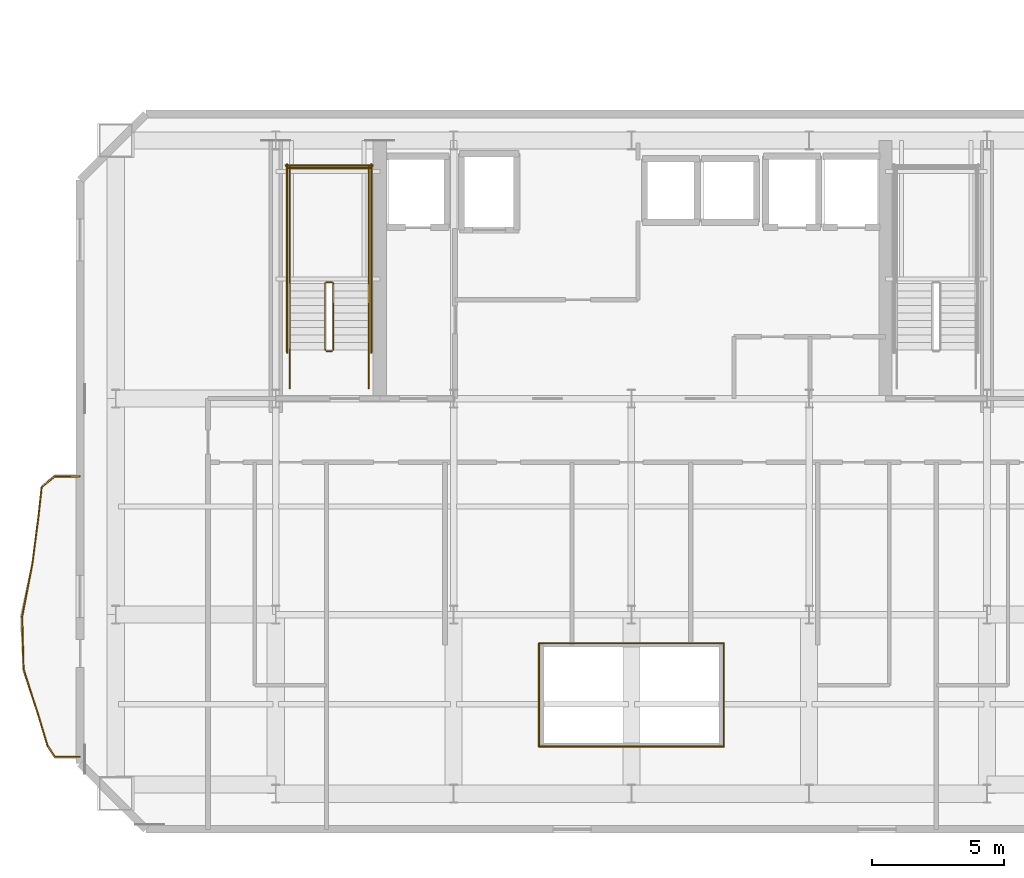
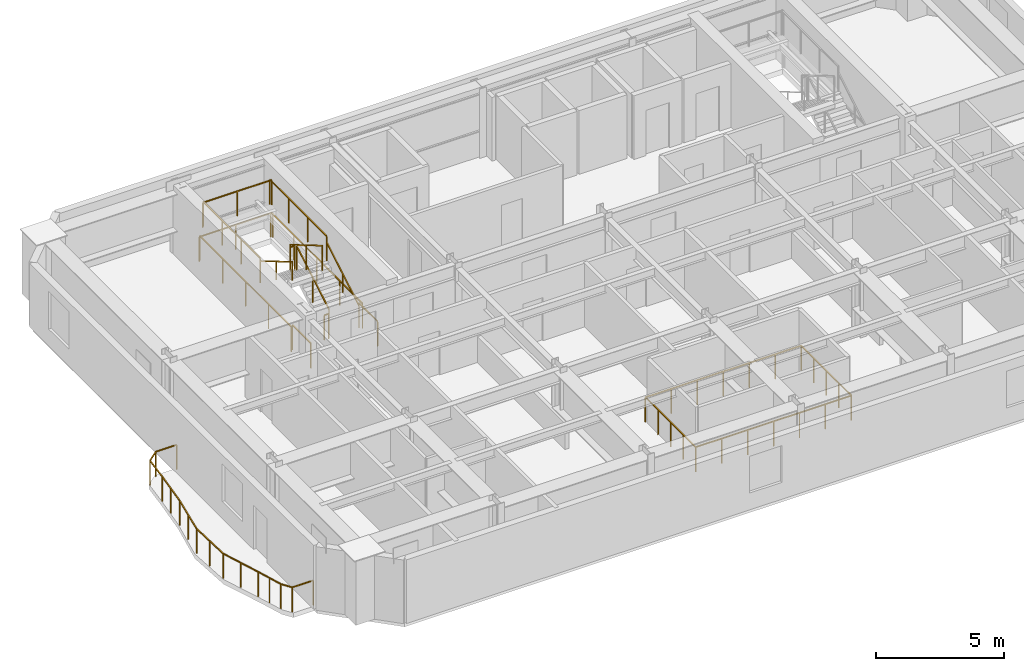
# One storey, part 13 of 16: 28 railings.
"""IFC4 building model written with IfcOpenShell, lengths in metres."""

from ifc_helpers import new_model, si_unit, direction, frame, origin, origin_2d, place, context, subcontext, project, spatial, rectangle, extrude, material, type_object, element, save


model = new_model("IFC4")

# Units and contexts
model_context = context("Model", 3, precision=1e-05, world=origin(), true_north=direction((0.0, 1.0)))
body_context = subcontext(model_context, "Body", "Model", "MODEL_VIEW")
ifc_project = project(units=[si_unit("LENGTHUNIT", "METRE"), si_unit("AREAUNIT", "SQUARE_METRE"), si_unit("VOLUMEUNIT", "CUBIC_METRE"), si_unit("PLANEANGLEUNIT", "RADIAN"), si_unit("MASSUNIT", "GRAM", prefix="KILO")], contexts=[model_context])

# Site, building, storey
site_placement = place(None, origin())
site = spatial("IfcSite", under=ifc_project, at=site_placement, CompositionType="ELEMENT")
building_placement = place(site_placement, origin())
building = spatial("IfcBuilding", under=site, at=building_placement, Name="Haevon Station Towers", CompositionType="ELEMENT")
storey_placement = place(building_placement, frame((0.0, 0.0, 172.5)))
storey = spatial("IfcBuildingStorey", under=building, at=storey_placement, Name="L47", CompositionType="ELEMENT", Elevation=172.5)

# Railings
ifc_material = material(Name="Steel S355", Category="steel")
railing_type_1 = type_object("IfcRailingType", Name="BAL-ATR1200", PredefinedType="BALUSTRADE", material=ifc_material)
railing_1_placement = place(storey_placement, frame((33.995361328125, 24.991455078125, 0.0)))
element("IfcRailing", 1, at=railing_1_placement, inside=storey, type_object=railing_type_1, Name="L47 Atrium Void Balustrade 1", PredefinedType="BALUSTRADE", context=body_context, shape_type="SweptSolid", body=[
    extrude(rectangle(XDim=0.048095703125, YDim=0.048095703125, at=origin_2d()), frame((0.0, 0.0, 1.17578125), z_axis=(1.0, 0.0, 0.0), x_axis=(0.0, 1.0, 0.0)), (0.0, 0.0, 1.0), 7.00927734375),
    extrude(rectangle(XDim=0.0419921875, YDim=0.0419921875, at=origin_2d()), origin(), (0.0, 0.0, 1.0), 1.15185546875),
    extrude(rectangle(XDim=0.0419921875, YDim=0.0419921875, at=origin_2d()), frame((1.168212890625, 0.0, 0.0)), (0.0, 0.0, 1.0), 1.15185546875),
    extrude(rectangle(XDim=0.0419921875, YDim=0.0419921875, at=origin_2d()), frame((2.33642578125, 0.0, 0.0)), (0.0, 0.0, 1.0), 1.15185546875),
    extrude(rectangle(XDim=0.0419921875, YDim=0.0419921875, at=origin_2d()), frame((3.504638671875, 0.0, 0.0)), (0.0, 0.0, 1.0), 1.15185546875),
    extrude(rectangle(XDim=0.0419921875, YDim=0.0419921875, at=origin_2d()), frame((4.6728515625, 0.0, 0.0)), (0.0, 0.0, 1.0), 1.15185546875),
    extrude(rectangle(XDim=0.0419921875, YDim=0.0419921875, at=origin_2d()), frame((5.841064453125, 0.0, 0.0)), (0.0, 0.0, 1.0), 1.15185546875),
    extrude(rectangle(XDim=0.0419921875, YDim=0.0419921875, at=origin_2d()), frame((7.00927734375, 0.0, 0.0)), (0.0, 0.0, 1.0), 1.15185546875),
])
railing_2_placement = place(storey_placement, frame((41.004638671875, 24.991455078125, 0.0)))
element("IfcRailing", 2, at=railing_2_placement, inside=storey, type_object=railing_type_1, Name="L47 Atrium Void Balustrade 2", PredefinedType="BALUSTRADE", context=body_context, shape_type="SweptSolid", body=[
    extrude(rectangle(XDim=0.048095703125, YDim=0.048095703125, at=origin_2d()), frame((0.0, 0.0, 1.17578125), z_axis=(0.0, 1.0, 0.0), x_axis=(-1.0, 0.0, 0.0)), (0.0, 0.0, 1.0), 3.9169921875),
    extrude(rectangle(XDim=0.0419921875, YDim=0.0419921875, at=origin_2d()), origin(), (0.0, 0.0, 1.0), 1.15185546875),
    extrude(rectangle(XDim=0.0419921875, YDim=0.0419921875, at=origin_2d()), frame((0.0, 0.979248046875, 0.0)), (0.0, 0.0, 1.0), 1.15185546875),
    extrude(rectangle(XDim=0.0419921875, YDim=0.0419921875, at=origin_2d()), frame((0.0, 1.95849609375, 0.0)), (0.0, 0.0, 1.0), 1.15185546875),
    extrude(rectangle(XDim=0.0419921875, YDim=0.0419921875, at=origin_2d()), frame((0.0, 2.937744140625, 0.0)), (0.0, 0.0, 1.0), 1.15185546875),
    extrude(rectangle(XDim=0.0419921875, YDim=0.0419921875, at=origin_2d()), frame((0.0, 3.9169921875, 0.0)), (0.0, 0.0, 1.0), 1.15185546875),
])
railing_3_placement = place(storey_placement, frame((41.004638671875, 28.908447265625, 0.0)))
element("IfcRailing", 3, at=railing_3_placement, inside=storey, type_object=railing_type_1, Name="L47 Atrium Void Balustrade 3", PredefinedType="BALUSTRADE", context=body_context, shape_type="SweptSolid", body=[
    extrude(rectangle(XDim=0.048095703125, YDim=0.048095703125, at=origin_2d()), frame((0.0, 0.0, 1.17578125), z_axis=(-1.0, 0.0, 0.0), x_axis=(0.0, -1.0, 0.0)), (0.0, 0.0, 1.0), 7.00927734375),
    extrude(rectangle(XDim=0.0419921875, YDim=0.0419921875, at=origin_2d()), origin(), (0.0, 0.0, 1.0), 1.15185546875),
    extrude(rectangle(XDim=0.0419921875, YDim=0.0419921875, at=origin_2d()), frame((-1.168212890625, 0.0, 0.0)), (0.0, 0.0, 1.0), 1.15185546875),
    extrude(rectangle(XDim=0.0419921875, YDim=0.0419921875, at=origin_2d()), frame((-2.33642578125, 0.0, 0.0)), (0.0, 0.0, 1.0), 1.15185546875),
    extrude(rectangle(XDim=0.0419921875, YDim=0.0419921875, at=origin_2d()), frame((-3.504638671875, 0.0, 0.0)), (0.0, 0.0, 1.0), 1.15185546875),
    extrude(rectangle(XDim=0.0419921875, YDim=0.0419921875, at=origin_2d()), frame((-4.6728515625, 0.0, 0.0)), (0.0, 0.0, 1.0), 1.15185546875),
    extrude(rectangle(XDim=0.0419921875, YDim=0.0419921875, at=origin_2d()), frame((-5.841064453125, 0.0, 0.0)), (0.0, 0.0, 1.0), 1.15185546875),
    extrude(rectangle(XDim=0.0419921875, YDim=0.0419921875, at=origin_2d()), frame((-7.00927734375, 0.0, 0.0)), (0.0, 0.0, 1.0), 1.15185546875),
])
railing_4_placement = place(storey_placement, frame((33.995361328125, 28.908447265625, 0.0)))
element("IfcRailing", 4, at=railing_4_placement, inside=storey, type_object=railing_type_1, Name="L47 Atrium Void Balustrade 4", PredefinedType="BALUSTRADE", context=body_context, shape_type="SweptSolid", body=[
    extrude(rectangle(XDim=0.048095703125, YDim=0.048095703125, at=origin_2d()), frame((0.0, 0.0, 1.17578125), z_axis=(0.0, -1.0, 0.0), x_axis=(1.0, 0.0, 0.0)), (0.0, 0.0, 1.0), 3.9169921875),
    extrude(rectangle(XDim=0.0419921875, YDim=0.0419921875, at=origin_2d()), origin(), (0.0, 0.0, 1.0), 1.15185546875),
    extrude(rectangle(XDim=0.0419921875, YDim=0.0419921875, at=origin_2d()), frame((0.0, -0.979248046875, 0.0)), (0.0, 0.0, 1.0), 1.15185546875),
    extrude(rectangle(XDim=0.0419921875, YDim=0.0419921875, at=origin_2d()), frame((0.0, -1.95849609375, 0.0)), (0.0, 0.0, 1.0), 1.15185546875),
    extrude(rectangle(XDim=0.0419921875, YDim=0.0419921875, at=origin_2d()), frame((0.0, -2.937744140625, 0.0)), (0.0, 0.0, 1.0), 1.15185546875),
    extrude(rectangle(XDim=0.0419921875, YDim=0.0419921875, at=origin_2d()), frame((0.0, -3.9169921875, 0.0)), (0.0, 0.0, 1.0), 1.15185546875),
])
railing_type_2 = type_object("IfcRailingType", Name="GRD-EXT1200", PredefinedType="GUARDRAIL", material=ifc_material)
railing_5_placement = place(storey_placement, frame((16.551513671875, 35.2470703125, 0.0)))
element("IfcRailing", 5, at=railing_5_placement, inside=storey, type_object=railing_type_2, Name="L47 Perimeter Guardrail 1", PredefinedType="GUARDRAIL", context=body_context, shape_type="SweptSolid", body=[
    extrude(rectangle(XDim=0.048095703125, YDim=0.048095703125, at=origin_2d()), frame((0.0, 0.0, 1.17578125), z_axis=(-0.999997857851, -0.002069853263, 0.0), x_axis=(0.002069853263, -0.999997857851, 0.0)), (0.0, 0.0, 1.0), 0.943603515625),
    extrude(rectangle(XDim=0.0419921875, YDim=0.0419921875, at=origin_2d()), origin(), (0.0, 0.0, 1.0), 1.15185546875),
    extrude(rectangle(XDim=0.0419921875, YDim=0.0419921875, at=origin_2d()), frame((-0.943603515625, -0.001953125, 0.0)), (0.0, 0.0, 1.0), 1.15185546875),
])
railing_6_placement = place(storey_placement, frame((15.60791015625, 35.2451171875, 0.0)))
element("IfcRailing", 6, at=railing_6_placement, inside=storey, type_object=railing_type_2, Name="L47 Perimeter Guardrail 2", PredefinedType="GUARDRAIL", context=body_context, shape_type="SweptSolid", body=[
    extrude(rectangle(XDim=0.048095703125, YDim=0.048095703125, at=origin_2d()), frame((0.0, 0.0, 1.17578125), z_axis=(-0.771340811858, -0.636422306305, 0.0), x_axis=(0.636422306305, -0.771340811858, 0.0)), (0.0, 0.0, 1.0), 0.64599609375),
    extrude(rectangle(XDim=0.0419921875, YDim=0.0419921875, at=origin_2d()), origin(), (0.0, 0.0, 1.0), 1.15185546875),
    extrude(rectangle(XDim=0.0419921875, YDim=0.0419921875, at=origin_2d()), frame((-0.498291015625, -0.4111328125, 0.0)), (0.0, 0.0, 1.0), 1.15185546875),
])
railing_7_placement = place(storey_placement, frame((15.109619140625, 34.833984375, 0.0)))
element("IfcRailing", 7, at=railing_7_placement, inside=storey, type_object=railing_type_2, Name="L47 Perimeter Guardrail 3", PredefinedType="GUARDRAIL", context=body_context, shape_type="SweptSolid", body=[
    extrude(rectangle(XDim=0.048095703125, YDim=0.048095703125, at=origin_2d()), frame((0.0, 0.0, 1.17578125), z_axis=(-0.108246304378, -0.994124105727, 0.0), x_axis=(0.994124105727, -0.108246304378, 0.0)), (0.0, 0.0, 1.0), 1.17724609375),
    extrude(rectangle(XDim=0.0419921875, YDim=0.0419921875, at=origin_2d()), origin(), (0.0, 0.0, 1.0), 1.15185546875),
    extrude(rectangle(XDim=0.0419921875, YDim=0.0419921875, at=origin_2d()), frame((-0.12744140625, -1.17041015625, 0.0)), (0.0, 0.0, 1.0), 1.15185546875),
])
railing_8_placement = place(storey_placement, frame((14.982177734375, 33.66357421875, 0.0)))
element("IfcRailing", 8, at=railing_8_placement, inside=storey, type_object=railing_type_2, Name="L47 Perimeter Guardrail 4", PredefinedType="GUARDRAIL", context=body_context, shape_type="SweptSolid", body=[
    extrude(rectangle(XDim=0.048095703125, YDim=0.048095703125, at=origin_2d()), frame((0.0, 0.0, 1.17578125), z_axis=(-0.128853983345, -0.991663577518, 0.0), x_axis=(0.991663577518, -0.128853983345, 0.0)), (0.0, 0.0, 1.0), 1.763916015625),
    extrude(rectangle(XDim=0.0419921875, YDim=0.0419921875, at=origin_2d()), origin(), (0.0, 0.0, 1.0), 1.15185546875),
    extrude(rectangle(XDim=0.0419921875, YDim=0.0419921875, at=origin_2d()), frame((-0.11376953125, -0.87451171875, 0.0)), (0.0, 0.0, 1.0), 1.15185546875),
    extrude(rectangle(XDim=0.0419921875, YDim=0.0419921875, at=origin_2d()), frame((-0.227294921875, -1.749267578125, 0.0)), (0.0, 0.0, 1.0), 1.15185546875),
])
railing_9_placement = place(storey_placement, frame((14.7548828125, 31.914306640625, 0.0)))
element("IfcRailing", 9, at=railing_9_placement, inside=storey, type_object=railing_type_2, Name="L47 Perimeter Guardrail 5", PredefinedType="GUARDRAIL", context=body_context, shape_type="SweptSolid", body=[
    extrude(rectangle(XDim=0.048095703125, YDim=0.048095703125, at=origin_2d()), frame((0.0, 0.0, 1.17578125), z_axis=(-0.189669695752, -0.981847954886, 0.0), x_axis=(0.981847954886, -0.189669695752, 0.0)), (0.0, 0.0, 1.0), 2.026123046875),
    extrude(rectangle(XDim=0.0419921875, YDim=0.0419921875, at=origin_2d()), origin(), (0.0, 0.0, 1.0), 1.15185546875),
    extrude(rectangle(XDim=0.0419921875, YDim=0.0419921875, at=origin_2d()), frame((-0.192138671875, -0.99462890625, 0.0)), (0.0, 0.0, 1.0), 1.15185546875),
    extrude(rectangle(XDim=0.0419921875, YDim=0.0419921875, at=origin_2d()), frame((-0.38427734375, -1.9892578125, 0.0)), (0.0, 0.0, 1.0), 1.15185546875),
])
railing_10_placement = place(storey_placement, frame((14.37060546875, 29.925048828125, 0.0)))
element("IfcRailing", 10, at=railing_10_placement, inside=storey, type_object=railing_type_2, Name="L47 Perimeter Guardrail 6", PredefinedType="GUARDRAIL", context=body_context, shape_type="SweptSolid", body=[
    extrude(rectangle(XDim=0.048095703125, YDim=0.048095703125, at=origin_2d()), frame((0.0, 0.0, 1.17578125), z_axis=(0.026326002365, -0.999653410738, 0.0), x_axis=(0.999653410738, 0.026326002365, 0.0)), (0.0, 0.0, 1.0), 1.993896484375),
    extrude(rectangle(XDim=0.0419921875, YDim=0.0419921875, at=origin_2d()), origin(), (0.0, 0.0, 1.0), 1.15185546875),
    extrude(rectangle(XDim=0.0419921875, YDim=0.0419921875, at=origin_2d()), frame((0.0263671875, -0.99658203125, 0.0)), (0.0, 0.0, 1.0), 1.15185546875),
    extrude(rectangle(XDim=0.0419921875, YDim=0.0419921875, at=origin_2d()), frame((0.052490234375, -1.9931640625, 0.0)), (0.0, 0.0, 1.0), 1.15185546875),
])
railing_11_placement = place(storey_placement, frame((14.423095703125, 27.931884765625, 0.0)))
element("IfcRailing", 11, at=railing_11_placement, inside=storey, type_object=railing_type_2, Name="L47 Perimeter Guardrail 7", PredefinedType="GUARDRAIL", context=body_context, shape_type="SweptSolid", body=[
    extrude(rectangle(XDim=0.048095703125, YDim=0.048095703125, at=origin_2d()), frame((0.0, 0.0, 1.17578125), z_axis=(0.305017363439, -0.952346789778, 0.0), x_axis=(0.952346789778, 0.305017363439, 0.0)), (0.0, 0.0, 1.0), 1.8330078125),
    extrude(rectangle(XDim=0.0419921875, YDim=0.0419921875, at=origin_2d()), origin(), (0.0, 0.0, 1.0), 1.15185546875),
    extrude(rectangle(XDim=0.0419921875, YDim=0.0419921875, at=origin_2d()), frame((0.279541015625, -0.872802734375, 0.0)), (0.0, 0.0, 1.0), 1.15185546875),
    extrude(rectangle(XDim=0.0419921875, YDim=0.0419921875, at=origin_2d()), frame((0.55908203125, -1.74560546875, 0.0)), (0.0, 0.0, 1.0), 1.15185546875),
])
railing_12_placement = place(storey_placement, frame((14.982177734375, 26.186279296875, 0.0)))
element("IfcRailing", 12, at=railing_12_placement, inside=storey, type_object=railing_type_2, Name="L47 Perimeter Guardrail 8", PredefinedType="GUARDRAIL", context=body_context, shape_type="SweptSolid", body=[
    extrude(rectangle(XDim=0.048095703125, YDim=0.048095703125, at=origin_2d()), frame((0.0, 0.0, 1.17578125), z_axis=(0.289563961205, -0.957158666247, 0.0), x_axis=(0.957158666247, 0.289563961205, 0.0)), (0.0, 0.0, 1.0), 1.22265625),
    extrude(rectangle(XDim=0.0419921875, YDim=0.0419921875, at=origin_2d()), origin(), (0.0, 0.0, 1.0), 1.15185546875),
    extrude(rectangle(XDim=0.0419921875, YDim=0.0419921875, at=origin_2d()), frame((0.177001953125, -0.5849609375, 0.0)), (0.0, 0.0, 1.0), 1.15185546875),
    extrude(rectangle(XDim=0.0419921875, YDim=0.0419921875, at=origin_2d()), frame((0.35400390625, -1.170166015625, 0.0)), (0.0, 0.0, 1.0), 1.15185546875),
])
railing_13_placement = place(storey_placement, frame((15.336181640625, 25.01611328125, 0.0)))
element("IfcRailing", 13, at=railing_13_placement, inside=storey, type_object=railing_type_2, Name="L47 Perimeter Guardrail 9", PredefinedType="GUARDRAIL", context=body_context, shape_type="SweptSolid", body=[
    extrude(rectangle(XDim=0.048095703125, YDim=0.048095703125, at=origin_2d()), frame((0.0, 0.0, 1.17578125), z_axis=(0.55115261601, -0.834404454606, 0.0), x_axis=(0.834404454606, 0.55115261601, 0.0)), (0.0, 0.0, 1.0), 0.492919921875),
    extrude(rectangle(XDim=0.0419921875, YDim=0.0419921875, at=origin_2d()), origin(), (0.0, 0.0, 1.0), 1.15185546875),
    extrude(rectangle(XDim=0.0419921875, YDim=0.0419921875, at=origin_2d()), frame((0.271728515625, -0.411376953125, 0.0)), (0.0, 0.0, 1.0), 1.15185546875),
])
railing_14_placement = place(storey_placement, frame((15.60791015625, 24.604736328125, 0.0)))
element("IfcRailing", 14, at=railing_14_placement, inside=storey, type_object=railing_type_2, Name="L47 Perimeter Guardrail 10", PredefinedType="GUARDRAIL", context=body_context, shape_type="SweptSolid", body=[
    extrude(rectangle(XDim=0.048095703125, YDim=0.048095703125, at=origin_2d()), frame((0.0, 0.0, 1.17578125), z_axis=(0.999997857851, -0.002069853263, 0.0), x_axis=(0.002069853263, 0.999997857851, 0.0)), (0.0, 0.0, 1.0), 0.943603515625),
    extrude(rectangle(XDim=0.0419921875, YDim=0.0419921875, at=origin_2d()), origin(), (0.0, 0.0, 1.0), 1.15185546875),
    extrude(rectangle(XDim=0.0419921875, YDim=0.0419921875, at=origin_2d()), frame((0.943603515625, -0.001953125, 0.0)), (0.0, 0.0, 1.0), 1.15185546875),
])
railing_type_3 = type_object("IfcRailingType", Name="GRD-STR1200", PredefinedType="GUARDRAIL", material=ifc_material)
railing_15_placement = place(storey_placement, frame((26.179931640625, 40.050048828125, 0.1650390625)))
element("IfcRailing", 15, at=railing_15_placement, inside=storey, type_object=railing_type_3, Name="L47 ST1 Stair Guard 1", PredefinedType="GUARDRAIL", context=body_context, shape_type="SweptSolid", body=[
    extrude(rectangle(XDim=0.048095703125, YDim=0.048095703125, at=origin_2d()), frame((0.0, 0.0, 1.17578125), z_axis=(0.0, 0.861560626758, 0.507654692109), x_axis=(-1.0, 0.0, 0.0)), (0.0, 0.0, 1.0), 2.925048828125),
    extrude(rectangle(XDim=0.0419921875, YDim=0.0419921875, at=origin_2d()), origin(), (0.0, 0.0, 1.0), 1.15185546875),
    extrude(rectangle(XDim=0.0419921875, YDim=0.0419921875, at=origin_2d()), frame((0.0, 1.260009765625, 0.742431640625)), (0.0, 0.0, 1.0), 1.15185546875),
    extrude(rectangle(XDim=0.0419921875, YDim=0.0419921875, at=origin_2d()), frame((0.0, 2.52001953125, 1.48486328125)), (0.0, 0.0, 1.0), 1.15185546875),
])
railing_16_placement = place(storey_placement, frame((26.1298828125, 42.6201171875, 1.64990234375)))
element("IfcRailing", 16, at=railing_16_placement, inside=storey, type_object=railing_type_3, Name="L47 ST1 Stair Guard 2", PredefinedType="GUARDRAIL", context=body_context, shape_type="SweptSolid", body=[
    extrude(rectangle(XDim=0.048095703125, YDim=0.048095703125, at=origin_2d()), frame((0.0, 0.0, 1.17578125), z_axis=(-1.0, 0.0, 0.0), x_axis=(0.0, -1.0, 0.0)), (0.0, 0.0, 1.0), 0.199951171875),
    extrude(rectangle(XDim=0.0419921875, YDim=0.0419921875, at=origin_2d()), origin(), (0.0, 0.0, 1.0), 1.15185546875),
    extrude(rectangle(XDim=0.0419921875, YDim=0.0419921875, at=origin_2d()), frame((-0.199951171875, 0.0, 0.0)), (0.0, 0.0, 1.0), 1.15185546875),
])
for number, where, name in (
    (17, (27.530029296875, 42.570068359375, 1.64990234375), "L47 ST1 Stair Guard 3"),
    (18, (24.530029296875, 42.570068359375, 1.64990234375), "L47 ST1 Stair Guard 4"),
):
    element("IfcRailing", number, at=place(storey_placement, frame(where)), inside=storey, type_object=railing_type_3, Name=name, PredefinedType="GUARDRAIL", context=body_context, shape_type="SweptSolid", body=[
        extrude(rectangle(XDim=0.048095703125, YDim=0.048095703125, at=origin_2d()), frame((0.0, 0.0, 1.17578125), z_axis=(0.0, 1.0, 0.0), x_axis=(-1.0, 0.0, 0.0)), (0.0, 0.0, 1.0), 4.429931640625),
        extrude(rectangle(XDim=0.0419921875, YDim=0.0419921875, at=origin_2d()), origin(), (0.0, 0.0, 1.0), 1.15185546875),
        extrude(rectangle(XDim=0.0419921875, YDim=0.0419921875, at=origin_2d()), frame((0.0, 1.4765625, 0.0)), (0.0, 0.0, 1.0), 1.15185546875),
        extrude(rectangle(XDim=0.0419921875, YDim=0.0419921875, at=origin_2d()), frame((0.0, 2.953369140625, 0.0)), (0.0, 0.0, 1.0), 1.15185546875),
        extrude(rectangle(XDim=0.0419921875, YDim=0.0419921875, at=origin_2d()), frame((0.0, 4.429931640625, 0.0)), (0.0, 0.0, 1.0), 1.15185546875),
    ])
railing_17_placement = place(storey_placement, frame((27.580078125, 46.949951171875, 1.64990234375)))
element("IfcRailing", 19, at=railing_17_placement, inside=storey, type_object=railing_type_3, Name="L47 ST1 Stair Guard 5", PredefinedType="GUARDRAIL", context=body_context, shape_type="SweptSolid", body=[
    extrude(rectangle(XDim=0.048095703125, YDim=0.048095703125, at=origin_2d()), frame((0.0, 0.0, 1.17578125), z_axis=(-1.0, 0.0, 0.0), x_axis=(0.0, -1.0, 0.0)), (0.0, 0.0, 1.0), 3.10009765625),
    extrude(rectangle(XDim=0.0419921875, YDim=0.0419921875, at=origin_2d()), origin(), (0.0, 0.0, 1.0), 1.15185546875),
    extrude(rectangle(XDim=0.0419921875, YDim=0.0419921875, at=origin_2d()), frame((-1.550048828125, 0.0, 0.0)), (0.0, 0.0, 1.0), 1.15185546875),
    extrude(rectangle(XDim=0.0419921875, YDim=0.0419921875, at=origin_2d()), frame((-3.10009765625, 0.0, 0.0)), (0.0, 0.0, 1.0), 1.15185546875),
])
railing_18_placement = place(storey_placement, frame((25.8798828125, 42.570068359375, 1.81494140625)))
element("IfcRailing", 20, at=railing_18_placement, inside=storey, type_object=railing_type_3, Name="L47 ST1 Stair Guard 6", PredefinedType="GUARDRAIL", context=body_context, shape_type="SweptSolid", body=[
    extrude(rectangle(XDim=0.048095703125, YDim=0.048095703125, at=origin_2d()), frame((0.0, 0.0, 1.17578125), z_axis=(0.0, -0.86152411907, 0.507716645641), x_axis=(1.0, 0.0, 0.0)), (0.0, 0.0, 1.0), 2.925048828125),
    extrude(rectangle(XDim=0.0419921875, YDim=0.0419921875, at=origin_2d()), origin(), (0.0, 0.0, 1.0), 1.15185546875),
    extrude(rectangle(XDim=0.0419921875, YDim=0.0419921875, at=origin_2d()), frame((0.0, -1.260009765625, 0.74267578125)), (0.0, 0.0, 1.0), 1.15185546875),
    extrude(rectangle(XDim=0.0419921875, YDim=0.0419921875, at=origin_2d()), frame((0.0, -2.52001953125, 1.485107421875)), (0.0, 0.0, 1.0), 1.15185546875),
])
railing_19_placement = place(storey_placement, frame((26.1298828125, 40.0, 0.0)))
element("IfcRailing", 21, at=railing_19_placement, inside=storey, type_object=railing_type_3, Name="L47 ST1 Stair Guard 7", PredefinedType="GUARDRAIL", context=body_context, shape_type="SweptSolid", body=[
    extrude(rectangle(XDim=0.048095703125, YDim=0.048095703125, at=origin_2d()), frame((0.0, 0.0, 1.17578125), z_axis=(-1.0, 0.0, 0.0), x_axis=(0.0, -1.0, 0.0)), (0.0, 0.0, 1.0), 0.199951171875),
    extrude(rectangle(XDim=0.0419921875, YDim=0.0419921875, at=origin_2d()), origin(), (0.0, 0.0, 1.0), 1.15185546875),
    extrude(rectangle(XDim=0.0419921875, YDim=0.0419921875, at=origin_2d()), frame((-0.199951171875, 0.0, 0.0)), (0.0, 0.0, 1.0), 1.15185546875),
])
for number, where, name in (
    (22, (27.530029296875, 38.60009765625, 0.0), "L47 ST1 Stair Guard 8"),
    (23, (24.530029296875, 38.60009765625, 0.0), "L47 ST1 Stair Guard 9"),
):
    element("IfcRailing", number, at=place(storey_placement, frame(where)), inside=storey, type_object=railing_type_3, Name=name, PredefinedType="GUARDRAIL", context=body_context, shape_type="SweptSolid", body=[
        extrude(rectangle(XDim=0.048095703125, YDim=0.048095703125, at=origin_2d()), frame((0.0, 0.0, 1.17578125), z_axis=(0.0, 1.0, 0.0), x_axis=(-1.0, 0.0, 0.0)), (0.0, 0.0, 1.0), 1.449951171875),
        extrude(rectangle(XDim=0.0419921875, YDim=0.0419921875, at=origin_2d()), origin(), (0.0, 0.0, 1.0), 1.15185546875),
        extrude(rectangle(XDim=0.0419921875, YDim=0.0419921875, at=origin_2d()), frame((0.0, 1.449951171875, 0.0)), (0.0, 0.0, 1.0), 1.15185546875),
    ])
for number, where, name in (
    (24, (27.6298828125, 39.949951171875, 0.0), "L47 ST1 Stair Guard 10"),
    (25, (24.429931640625, 39.949951171875, 0.0), "L47 ST1 Stair Guard 11"),
):
    element("IfcRailing", number, at=place(storey_placement, frame(where)), inside=storey, type_object=railing_type_3, Name=name, PredefinedType="GUARDRAIL", context=body_context, shape_type="SweptSolid", body=[
        extrude(rectangle(XDim=0.048095703125, YDim=0.048095703125, at=origin_2d()), frame((0.0, 0.0, 1.17578125), z_axis=(0.0, 1.0, 0.0), x_axis=(-1.0, 0.0, 0.0)), (0.0, 0.0, 1.0), 7.150146484375),
        extrude(rectangle(XDim=0.0419921875, YDim=0.0419921875, at=origin_2d()), origin(), (0.0, 0.0, 1.0), 1.15185546875),
        extrude(rectangle(XDim=0.0419921875, YDim=0.0419921875, at=origin_2d()), frame((0.0, 1.78759765625, 0.0)), (0.0, 0.0, 1.0), 1.15185546875),
        extrude(rectangle(XDim=0.0419921875, YDim=0.0419921875, at=origin_2d()), frame((0.0, 3.5751953125, 0.0)), (0.0, 0.0, 1.0), 1.15185546875),
        extrude(rectangle(XDim=0.0419921875, YDim=0.0419921875, at=origin_2d()), frame((0.0, 5.362548828125, 0.0)), (0.0, 0.0, 1.0), 1.15185546875),
        extrude(rectangle(XDim=0.0419921875, YDim=0.0419921875, at=origin_2d()), frame((0.0, 7.150146484375, 0.0)), (0.0, 0.0, 1.0), 1.15185546875),
    ])
railing_20_placement = place(storey_placement, frame((27.679931640625, 47.050048828125, 0.0)))
element("IfcRailing", 26, at=railing_20_placement, inside=storey, type_object=railing_type_3, Name="L47 ST1 Stair Guard 12", PredefinedType="GUARDRAIL", context=body_context, shape_type="SweptSolid", body=[
    extrude(rectangle(XDim=0.048095703125, YDim=0.048095703125, at=origin_2d()), frame((0.0, 0.0, 1.17578125), z_axis=(-1.0, 0.0, 0.0), x_axis=(0.0, -1.0, 0.0)), (0.0, 0.0, 1.0), 3.300048828125),
    extrude(rectangle(XDim=0.0419921875, YDim=0.0419921875, at=origin_2d()), origin(), (0.0, 0.0, 1.0), 1.15185546875),
    extrude(rectangle(XDim=0.0419921875, YDim=0.0419921875, at=origin_2d()), frame((-1.64990234375, 0.0, 0.0)), (0.0, 0.0, 1.0), 1.15185546875),
    extrude(rectangle(XDim=0.0419921875, YDim=0.0419921875, at=origin_2d()), frame((-3.300048828125, 0.0, 0.0)), (0.0, 0.0, 1.0), 1.15185546875),
])
railing_type_4 = type_object("IfcRailingType", Name="HND-STR900", PredefinedType="HANDRAIL", material=ifc_material)
railing_21_placement = place(storey_placement, frame((27.530029296875, 40.050048828125, 0.1650390625)))
element("IfcRailing", 27, at=railing_21_placement, inside=storey, type_object=railing_type_4, Name="L47 ST1 Stair Handrail 1", PredefinedType="HANDRAIL", context=body_context, shape_type="SweptSolid", body=[
    extrude(rectangle(XDim=0.048095703125, YDim=0.048095703125, at=origin_2d()), frame((0.0, 0.0, 0.8759765625), z_axis=(0.0, 0.861560626758, 0.507654692109), x_axis=(-1.0, 0.0, 0.0)), (0.0, 0.0, 1.0), 2.925048828125),
    extrude(rectangle(XDim=0.0419921875, YDim=0.0419921875, at=origin_2d()), origin(), (0.0, 0.0, 1.0), 0.851806640625),
    extrude(rectangle(XDim=0.0419921875, YDim=0.0419921875, at=origin_2d()), frame((0.0, 1.260009765625, 0.742431640625)), (0.0, 0.0, 1.0), 0.851806640625),
    extrude(rectangle(XDim=0.0419921875, YDim=0.0419921875, at=origin_2d()), frame((0.0, 2.52001953125, 1.48486328125)), (0.0, 0.0, 1.0), 0.851806640625),
])
railing_22_placement = place(storey_placement, frame((24.530029296875, 42.570068359375, 1.81494140625)))
element("IfcRailing", 28, at=railing_22_placement, inside=storey, type_object=railing_type_4, Name="L47 ST1 Stair Handrail 2", PredefinedType="HANDRAIL", context=body_context, shape_type="SweptSolid", body=[
    extrude(rectangle(XDim=0.048095703125, YDim=0.048095703125, at=origin_2d()), frame((0.0, 0.0, 0.8759765625), z_axis=(0.0, -0.86152411907, 0.507716645641), x_axis=(1.0, 0.0, 0.0)), (0.0, 0.0, 1.0), 2.925048828125),
    extrude(rectangle(XDim=0.0419921875, YDim=0.0419921875, at=origin_2d()), origin(), (0.0, 0.0, 1.0), 0.851806640625),
    extrude(rectangle(XDim=0.0419921875, YDim=0.0419921875, at=origin_2d()), frame((0.0, -1.260009765625, 0.74267578125)), (0.0, 0.0, 1.0), 0.851806640625),
    extrude(rectangle(XDim=0.0419921875, YDim=0.0419921875, at=origin_2d()), frame((0.0, -2.52001953125, 1.485107421875)), (0.0, 0.0, 1.0), 0.851806640625),
])

save(model, "model.ifc")
